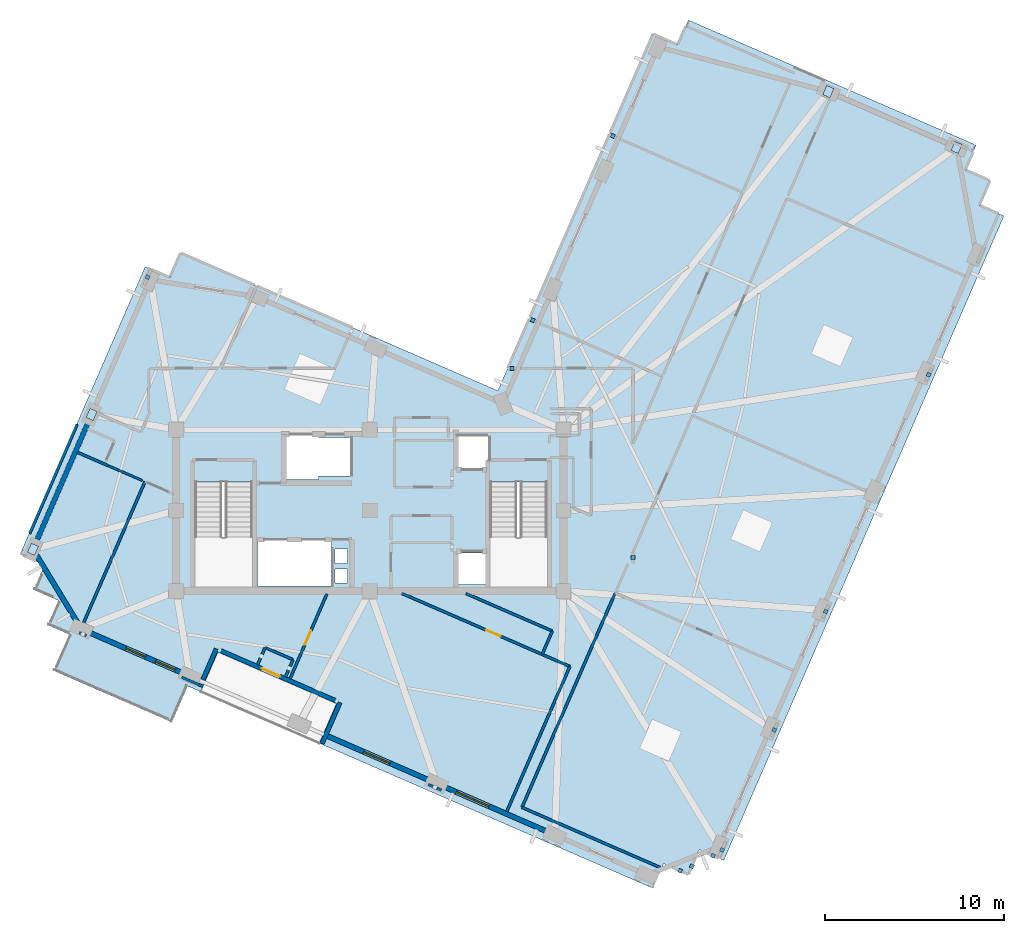
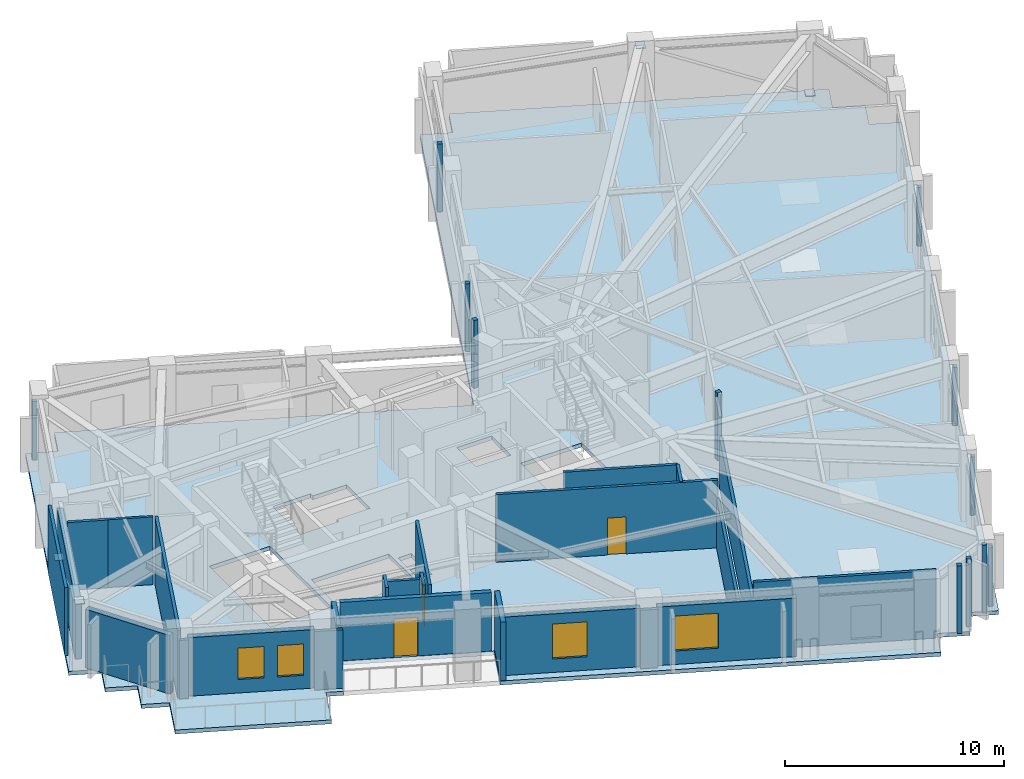
# One storey, part 4 of 12: 25 walls, 16 plates, 4 windows, 3 doors, 1 slab, 7 openings.
"""IFC4 building model written with IfcOpenShell, lengths in metres."""

from ifc_helpers import new_model, si_unit, direction, frame, frame_2d, origin, origin_2d, place, context, subcontext, project, spatial, polyline, rectangle, outline, extrude, material, layer, layer_set, type_object, element, fill, save


model = new_model("IFC4")

# Units and contexts
model_context = context("Model", 3, precision=1e-05, world=origin(), true_north=direction((0.0, 1.0)))
body_context = subcontext(model_context, "Body", "Model", "MODEL_VIEW")
ifc_project = project(units=[si_unit("LENGTHUNIT", "METRE"), si_unit("AREAUNIT", "SQUARE_METRE"), si_unit("VOLUMEUNIT", "CUBIC_METRE"), si_unit("PLANEANGLEUNIT", "RADIAN"), si_unit("MASSUNIT", "GRAM", prefix="KILO")], contexts=[model_context])

# Site, building, storey
site_placement = place(None, origin())
site = spatial("IfcSite", under=ifc_project, at=site_placement, CompositionType="ELEMENT")
building_placement = place(site_placement, origin())
building = spatial("IfcBuilding", under=site, at=building_placement, Name="Gaonmaruhae Medical Tower", CompositionType="ELEMENT")
storey_placement = place(building_placement, frame((0.0, 0.0, 316.60009765625)))
storey = spatial("IfcBuildingStorey", under=building, at=storey_placement, Name="L76", CompositionType="ELEMENT", Elevation=316.60009765625)

# Slab
ifc_material_1 = material(Name="Concrete C40/50", Category="concrete")
ifc_layer_1 = layer(ifc_material_1, 0.219970703125)
ifc_layer_set_1 = layer_set([ifc_layer_1], Name="Concrete C40/50")
slab_type = type_object("IfcSlabType", Name="FS-220 Clinical Ward Composite Floor Slab", PredefinedType="FLOOR", material=ifc_layer_set_1)
slab_placement = place(storey_placement, frame((0.0, 0.0, -0.22021484375)))
element("IfcSlab", 1, at=slab_placement, inside=storey, type_object=slab_type, Name="L76 Structural Slab 1", PredefinedType="FLOOR", context=body_context, shape_type="SweptSolid", body=[
    extrude(outline(polyline([(7.443115234375, 7.276611328125), (6.0673828125, 7.874755859375), (6.665771484375, 9.25048828125), (5.2900390625, 9.848388671875), (12.268310546875, 25.89697265625), (13.643798828125, 25.298828125), (14.241943359375, 26.674560546875), (31.941162109375, 18.978515625), (40.593994140625, 38.87890625), (41.969482421875, 38.28076171875), (42.567626953125, 39.65625), (58.6162109375, 32.67822265625), (58.01806640625, 31.302490234375), (59.393798828125, 30.70458984375), (58.795654296875, 29.328857421875), (60.171142578125, 28.730712890625), (44.540283203125, -7.218017578125), (43.164794921875, -6.619873046875), (42.56640625, -7.995361328125), (41.19091796875, -7.397216796875), (40.5927734375, -8.77294921875), (21.9765625, -0.67822265625), (22.93359375, 1.522705078125), (16.330810546875, 4.3935546875), (15.373779296875, 2.192626953125), (14.639892578125, 2.51171875), (13.7626953125, 0.494140625), (7.159912109375, 3.364990234375), (8.037109375, 5.3828125), (6.844970703125, 5.901123046875), (7.443115234375, 7.276611328125)]), holes=[polyline([(23.550048828125, 8.25), (22.85009765625, 8.25), (22.85009765625, 9.050048828125), (23.550048828125, 9.050048828125), (23.550048828125, 8.25)]), polyline([(29.574951171875, 9.925048828125), (31.425048828125, 9.925048828125), (31.425048828125, 8.175048828125), (29.574951171875, 8.175048828125), (29.574951171875, 9.925048828125)]), polyline([(18.550048828125, 10.625), (22.64990234375, 10.625), (22.64990234375, 8.074951171875), (18.550048828125, 8.074951171875), (18.550048828125, 10.625)]), polyline([(23.550048828125, 9.35009765625), (22.85009765625, 9.35009765625), (22.85009765625, 10.14990234375), (23.550048828125, 10.14990234375), (23.550048828125, 9.35009765625)]), polyline([(15.050048828125, 13.889892578125), (18.25, 13.889892578125), (18.25, 8.300048828125), (15.050048828125, 8.300048828125), (15.050048828125, 13.889892578125)]), polyline([(31.5, 13.889892578125), (34.699951171875, 13.889892578125), (34.699951171875, 8.300048828125), (31.5, 8.300048828125), (31.5, 13.889892578125)]), polyline([(23.72509765625, 14.22509765625), (21.949951171875, 14.22509765625), (21.949951171875, 14.02490234375), (19.949951171875, 14.02490234375), (19.949951171875, 16.574951171875), (21.949951171875, 16.574951171875), (21.949951171875, 16.375), (23.72509765625, 16.375), (23.72509765625, 14.22509765625)]), polyline([(31.425048828125, 16.425048828125), (31.425048828125, 14.675048828125), (29.574951171875, 14.675048828125), (29.574951171875, 16.425048828125), (31.425048828125, 16.425048828125)])]), origin(), (0.0, 0.0, 1.0), 0.22021484375),
])

# Plates
ifc_material_2 = material(Name="Steel HSA650 (650 MPa)", Category="steel")
ifc_layer_2 = layer(ifc_material_2, 0.028076171875)
ifc_layer_set_2 = layer_set([ifc_layer_2], Name="Steel HSA650 (650 MPa)")
plate_type_1 = type_object("IfcPlateType", Name="GP-02 Tube Brace End Cap Gusset Plate", PredefinedType="USERDEFINED", material=ifc_layer_set_2)
for number, where, z_axis, x_axis, name in (
    (2, (57.525634765625, 32.552734375, 0.23583984375), (0.0, 0.0, 1.0), (0.398749068925, 0.917060074385, 0.0), "L76 Gusset Cap Plate PLT-L76-PBR-E01A"),
    (3, (50.372802734375, 35.662841796875, 3.515625), (0.0, 0.0, 1.0), (0.398749068925, 0.917060074385, 0.0), "L76 Gusset Cap Plate PLT-L76-PBR-E01B"),
    (4, (9.283447265625, 17.653564453125, 0.23583984375), (0.0, 0.0, 1.0), (0.398749068925, 0.917060074385, 0.0), "L76 Gusset Cap Plate PLT-L76-PBR-N02A"),
    (5, (6.013671875, 10.133544921875, 3.515625), (0.0, 0.0, 1.0), (0.398749068925, 0.917060074385, 0.0), "L76 Gusset Cap Plate PLT-L76-PBR-N02B"),
):
    element("IfcPlate", number, at=place(storey_placement, frame(where, z_axis=z_axis, x_axis=x_axis)), inside=storey, type_object=plate_type_1, Name=name, ObjectType="GUSSET_PLATE", PredefinedType="USERDEFINED", context=body_context, shape_type="SweptSolid", body=[
        extrude(rectangle(XDim=0.56005859375, YDim=0.43994140625, at=origin_2d()), origin(), (0.0, 0.0, 1.0), 0.028076171875),
    ])
ifc_material_3 = material(Name="Anodised aluminium 6063-T6", Category="aluminium")
ifc_layer_3 = layer(ifc_material_3, 0.011962890625)
ifc_layer_set_3 = layer_set([ifc_layer_3], Name="Anodised aluminium 6063-T6")
plate_type_2 = type_object("IfcPlateType", Name="PP-01 Interior Partition Corner Stiffener Plate", PredefinedType="SHEET", material=ifc_layer_set_3)
plate_1_placement = place(storey_placement, frame((42.114501953125, -7.798583984375, 0.0), z_axis=(0.0, 0.0, 1.0), x_axis=(-0.917247878626, 0.398316870288, 0.0)))
element("IfcPlate", 6, at=plate_1_placement, inside=storey, type_object=plate_type_2, Name="L76 Partition Corner Stiffener Plate PLT-L76-JGP-PW014", PredefinedType="SHEET", context=body_context, shape_type="SweptSolid", body=[
    extrude(rectangle(XDim=0.219970703125, YDim=0.219970703125, at=origin_2d()), origin(), (0.0, 0.0, 1.0), 3.780029296875),
])
plate_2_placement = place(storey_placement, frame((47.357421875, 0.0625, -0.000244140625), z_axis=(0.0, 0.0, 1.0), x_axis=(-0.398765074582, -0.917053114761, 0.0)))
element("IfcPlate", 7, at=plate_2_placement, inside=storey, type_object=plate_type_2, Name="L76 Partition Corner Stiffener Plate PLT-L76-JGP-PW018", PredefinedType="SHEET", context=body_context, shape_type="SweptSolid", body=[
    extrude(rectangle(XDim=0.219970703125, YDim=0.219970703125, at=origin_2d()), origin(), (0.0, 0.0, 1.0), 3.2451171875),
])
plate_3_placement = place(storey_placement, frame((44.446044921875, -6.633056640625, 0.0), z_axis=(0.0, 0.0, 1.0), x_axis=(-0.399245187787, -0.916844196158, 0.0)))
element("IfcPlate", 8, at=plate_3_placement, inside=storey, type_object=plate_type_2, Name="L76 Partition Corner Stiffener Plate PLT-L76-JGP-PW019", PredefinedType="SHEET", context=body_context, shape_type="SweptSolid", body=[
    extrude(rectangle(XDim=0.219970703125, YDim=0.219970703125, at=origin_2d()), origin(), (0.0, 0.0, 1.0), 3.264892578125),
])
for number, where, z_axis, x_axis, name in (
    (9, (43.94091796875, -6.95703125, 0.0), (0.0, 0.0, 1.0), (-0.917115741319, 0.398621019297, 0.0), "L76 Partition Corner Stiffener Plate PLT-L76-JGP-PW020"),
    (10, (42.763916015625, -7.54248046875, 0.0), (0.0, 0.0, 1.0), (-0.399165176517, -0.916879033383, 0.0), "L76 Partition Corner Stiffener Plate PLT-L76-JGP-PW021"),
    (11, (39.47998046875, 9.6669921875, 0.0), (0.0, 0.0, 1.0), (0.0, 1.0, 0.0), "L76 Partition Corner Stiffener Plate PLT-L76-JGP-PW022"),
):
    element("IfcPlate", number, at=place(storey_placement, frame(where, z_axis=z_axis, x_axis=x_axis)), inside=storey, type_object=plate_type_2, Name=name, PredefinedType="SHEET", context=body_context, shape_type="SweptSolid", body=[
        extrude(rectangle(XDim=0.219970703125, YDim=0.219970703125, at=origin_2d()), origin(), (0.0, 0.0, 1.0), 3.780029296875),
    ])
plate_4_placement = place(storey_placement, frame((50.2275390625, 6.66552734375, -0.000244140625), z_axis=(0.0, 0.0, 1.0), x_axis=(-0.398765074582, -0.917053114761, 0.0)))
element("IfcPlate", 12, at=plate_4_placement, inside=storey, type_object=plate_type_2, Name="L76 Partition Corner Stiffener Plate PLT-L76-JGP-PW025", PredefinedType="SHEET", context=body_context, shape_type="SweptSolid", body=[
    extrude(rectangle(XDim=0.219970703125, YDim=0.219970703125, at=origin_2d()), origin(), (0.0, 0.0, 1.0), 3.2451171875),
])
plate_5_placement = place(storey_placement, frame((55.970458984375, 19.87158203125, 0.0), z_axis=(0.0, 0.0, 1.0), x_axis=(-0.398765074582, -0.917053114761, 0.0)))
element("IfcPlate", 13, at=plate_5_placement, inside=storey, type_object=plate_type_2, Name="L76 Partition Corner Stiffener Plate PLT-L76-JGP-PW029", PredefinedType="SHEET", context=body_context, shape_type="SweptSolid", body=[
    extrude(rectangle(XDim=0.219970703125, YDim=0.219970703125, at=origin_2d()), origin(), (0.0, 0.0, 1.0), 3.264892578125),
])
for number, where, z_axis, x_axis, name in (
    (14, (32.722412109375, 20.22998046875, 0.0), (0.0, 0.0, 1.0), (-1.0, 0.0, 0.0), "L76 Partition Corner Stiffener Plate PLT-L76-JGP-PW059"),
    (15, (33.888427734375, 22.91162109375, 0.0), (0.0, 0.0, 1.0), (0.917470197664, -0.397804520334, 0.0), "L76 Partition Corner Stiffener Plate PLT-L76-JGP-PW061"),
    (16, (38.3564453125, 33.18798828125, 0.0), (0.0, 0.0, 1.0), (0.916628049537, -0.399741189774, 0.0), "L76 Partition Corner Stiffener Plate PLT-L76-JGP-PW067"),
):
    element("IfcPlate", number, at=place(storey_placement, frame(where, z_axis=z_axis, x_axis=x_axis)), inside=storey, type_object=plate_type_2, Name=name, PredefinedType="SHEET", context=body_context, shape_type="SweptSolid", body=[
        extrude(rectangle(XDim=0.219970703125, YDim=0.219970703125, at=origin_2d()), origin(), (0.0, 0.0, 1.0), 3.780029296875),
    ])
plate_6_placement = place(storey_placement, frame((12.408935546875, 25.319091796875, 0.0), z_axis=(0.0, 0.0, 1.0), x_axis=(0.399261189676, 0.916837227876, 0.0)))
element("IfcPlate", 17, at=plate_6_placement, inside=storey, type_object=plate_type_2, Name="L76 Partition Corner Stiffener Plate PLT-L76-JGP-PW082", PredefinedType="SHEET", context=body_context, shape_type="SweptSolid", body=[
    extrude(rectangle(XDim=0.219970703125, YDim=0.219970703125, at=origin_2d()), origin(), (0.0, 0.0, 1.0), 3.264892578125),
])

# Wall, opening, door
ifc_material_4 = material(Name="Precast concrete C45/55", Category="concrete")
ifc_layer_4 = layer(ifc_material_4, 0.239990234375)
ifc_layer_set_4 = layer_set([ifc_layer_4], Name="Precast concrete C45/55")
wall_type_1 = type_object("IfcWallType", Name="EW-240 Ribbon & Shelter Insulated Precast Wall", PredefinedType="SOLIDWALL", material=ifc_layer_set_4)
wall_1_placement = place(storey_placement, frame((22.87939453125, 1.698974609375, 0.0), z_axis=(0.0, 0.0, 1.0), x_axis=(-0.917069498579, 0.398727394062, 0.0)))
wall_1 = element("IfcWall", 18, at=wall_1_placement, inside=storey, type_object=wall_type_1, Name="L76 Recessed Terrace Enclosure Wall TERB", PredefinedType="SOLIDWALL", context=body_context, shape_type="SweptSolid", body=[
    extrude(rectangle(XDim=6.9599609375, YDim=0.239990234375, at=frame_2d((3.47998046875, 0.0))), origin(), (0.0, 0.0, 1.0), 3.264892578125),
])
opening_1_placement = place(wall_1_placement, frame((3.374755859375, 0.0, 0.0)))
opening_1 = element("IfcOpeningElement", 19, at=opening_1_placement, cuts=wall_1, Name="Opening TD-01", PredefinedType="OPENING", context=body_context, shape_type="SweptSolid", body=[
    extrude(rectangle(XDim=1.10009765625, YDim=2.14990234375, at=frame_2d((0.550048828125, 1.074951171875))), frame((0.0, 0.1298828125, 0.0), z_axis=(0.0, -1.0, 0.0), x_axis=(1.0, 0.0, 0.0)), (0.0, 0.0, 1.0), 0.260009765625),
])
ifc_material_5 = material(Name="Anodised aluminium and toughened safety glass", Category="aluminium")
door_type_1 = type_object("IfcDoorType", Name="TD-01 Terrace & Sky Garden Glazed Door 1100x2150", OperationType="NOTDEFINED", PredefinedType="DOOR", material=ifc_material_5)
door_1_placement = place(opening_1_placement, origin())
door_1 = element("IfcDoor", 20, at=door_1_placement, inside=storey, type_object=door_type_1, Name="L76 Outdoor Terrace Access Door SLB-L76-TER", OperationType="SINGLE_SWING_LEFT", OverallHeight=2.14990234375, OverallWidth=1.10009765625, PredefinedType="DOOR", context=body_context, shape_type="SweptSolid", body=[
    extrude(rectangle(XDim=1.10009765625, YDim=2.14990234375, at=frame_2d((0.550048828125, 1.074951171875))), frame((0.0, 0.02490234375, 0.0), z_axis=(0.0, -1.0, 0.0), x_axis=(1.0, 0.0, 0.0)), (0.0, 0.0, 1.0), 0.050048828125),
])
fill(opening_1, door_1)

# Walls
wall_2_placement = place(storey_placement, frame((22.13916015625, -0.705322265625, 0.0), z_axis=(0.0, 0.0, 1.0), x_axis=(0.398758251475, 0.917056081644, 0.0)))
element("IfcWall", 21, at=wall_2_placement, inside=storey, type_object=wall_type_1, Name="L76 Recessed Terrace Enclosure Wall TERL", PredefinedType="SOLIDWALL", context=body_context, shape_type="SweptSolid", body=[
    extrude(rectangle(XDim=2.499755859375, YDim=0.239990234375, at=frame_2d((1.25, 0.0))), origin(), (0.0, 0.0, 1.0), 3.264892578125),
])
wall_3_placement = place(storey_placement, frame((16.23974609375, 4.585693359375, 0.0), z_axis=(0.0, 0.0, 1.0), x_axis=(-0.398730849785, -0.917067996077, 0.0)))
element("IfcWall", 22, at=wall_3_placement, inside=storey, type_object=wall_type_1, Name="L76 Recessed Terrace Enclosure Wall TERR", PredefinedType="SOLIDWALL", context=body_context, shape_type="SweptSolid", body=[
    extrude(rectangle(XDim=1.884033203125, YDim=0.239990234375, at=frame_2d((0.94189453125, 0.0))), origin(), (0.0, 0.0, 1.0), 3.264892578125),
])
ifc_layer_5 = layer(ifc_material_4, 0.280029296875)
ifc_layer_set_5 = layer_set([ifc_layer_5], Name="Precast concrete C45/55")
wall_type_2 = type_object("IfcWallType", Name="EW-280 Upper Precast Masonry-Frame Facade Wall", PredefinedType="SOLIDWALL", material=ifc_layer_set_5)
wall_4_placement = place(storey_placement, frame((6.17236328125, 10.498046875, 0.0), z_axis=(0.0, 0.0, 1.0), x_axis=(0.398740578379, 0.917063766133, 0.0)))
element("IfcWall", 23, at=wall_4_placement, inside=storey, type_object=wall_type_2, Name="L76 Precast Masonry-Frame Wall N02-N03", PredefinedType="SOLIDWALL", context=body_context, shape_type="SweptSolid", body=[
    extrude(rectangle(XDim=7.40478515625, YDim=0.280029296875, at=frame_2d((3.702392578125, 0.0))), origin(), (0.0, 0.0, 1.0), 3.264892578125),
])
wall_5_placement = place(storey_placement, frame((8.508544921875, 6.02734375, 0.0), z_axis=(0.0, 0.0, 1.0), x_axis=(-0.51924554751, 0.854625099907, 0.0)))
element("IfcWall", 24, at=wall_5_placement, inside=storey, type_object=wall_type_2, Name="L76 Precast Masonry-Frame Wall N03-W01", PredefinedType="SOLIDWALL", context=body_context, shape_type="SweptSolid", body=[
    extrude(rectangle(XDim=4.406982421875, YDim=0.280029296875, at=frame_2d((2.20361328125, 0.0))), origin(), (0.0, 0.0, 1.0), 3.264892578125),
])

# Wall, openings, windows
wall_6_placement = place(storey_placement, frame((14.403076171875, 3.214599609375, 0.0), z_axis=(0.0, 0.0, 1.0), x_axis=(-0.917061363729, 0.398746103624, 0.0)))
wall_6 = element("IfcWall", 25, at=wall_6_placement, inside=storey, type_object=wall_type_2, Name="L76 Precast Masonry-Frame Wall W01-W02", PredefinedType="SOLIDWALL", context=body_context, shape_type="SweptSolid", body=[
    extrude(rectangle(XDim=5.804931640625, YDim=0.280029296875, at=frame_2d((2.90234375, 0.0))), origin(), (0.0, 0.0, 1.0), 3.264892578125),
])
opening_2_placement = place(wall_6_placement, frame((2.302490234375, 0.0, 0.75)))
opening_2 = element("IfcOpeningElement", 26, at=opening_2_placement, cuts=wall_6, Name="Opening WN-05", PredefinedType="OPENING", context=body_context, shape_type="SweptSolid", body=[
    extrude(rectangle(XDim=1.199951171875, YDim=1.75, at=frame_2d((0.60009765625, 0.875))), frame((0.0, 0.14990234375, 0.0), z_axis=(0.0, -1.0, 0.0), x_axis=(1.0, 0.0, 0.0)), (0.0, 0.0, 1.0), 0.300048828125),
])
opening_3_placement = place(wall_6_placement, frame((0.486083984375, 0.0, 0.75)))
opening_3 = element("IfcOpeningElement", 27, at=opening_3_placement, cuts=wall_6, Name="Opening WN-05", PredefinedType="OPENING", context=body_context, shape_type="SweptSolid", body=[
    extrude(rectangle(XDim=1.199951171875, YDim=1.75, at=frame_2d((0.60009765625, 0.875))), frame((0.0, 0.14990234375, 0.0), z_axis=(0.0, -1.0, 0.0), x_axis=(1.0, 0.0, 0.0)), (0.0, 0.0, 1.0), 0.300048828125),
])
ifc_material_6 = material(Name="Anodised aluminium and Low-E double glazing", Category="aluminium")
window_type_1 = type_object("IfcWindowType", Name="WN-05 Support & Staff Punched Window 1200x1750", PartitioningType="SINGLE_PANEL", PredefinedType="WINDOW", material=ifc_material_6)
window_1_placement = place(opening_2_placement, origin())
window_1 = element("IfcWindow", 28, at=window_1_placement, inside=storey, type_object=window_type_1, Name="L76 Modular Facade Window W01", OverallHeight=1.75, OverallWidth=1.199951171875, PartitioningType="SINGLE_PANEL", PredefinedType="WINDOW", context=body_context, shape_type="SweptSolid", body=[
    extrude(rectangle(XDim=1.199951171875, YDim=1.75, at=frame_2d((0.60009765625, 0.875))), frame((0.0, 0.030029296875, 0.0), z_axis=(0.0, -1.0, 0.0), x_axis=(1.0, 0.0, 0.0)), (0.0, 0.0, 1.0), 0.06005859375),
])
fill(opening_2, window_1)
window_2_placement = place(opening_3_placement, origin())
window_2 = element("IfcWindow", 29, at=window_2_placement, inside=storey, type_object=window_type_1, Name="L76 Modular Facade Window W01B", OverallHeight=1.75, OverallWidth=1.199951171875, PartitioningType="SINGLE_PANEL", PredefinedType="WINDOW", context=body_context, shape_type="SweptSolid", body=[
    extrude(rectangle(XDim=1.199951171875, YDim=1.75, at=frame_2d((0.60009765625, 0.875))), frame((0.0, 0.030029296875, 0.0), z_axis=(0.0, -1.0, 0.0), x_axis=(1.0, 0.0, 0.0)), (0.0, 0.0, 1.0), 0.06005859375),
])
fill(opening_3, window_2)

# Wall, opening, window
wall_7_placement = place(storey_placement, frame((28.158935546875, -2.766845703125, 0.0), z_axis=(0.0, 0.0, 1.0), x_axis=(-0.917051024313, 0.39876988202, 0.0)))
wall_7 = element("IfcWall", 30, at=wall_7_placement, inside=storey, type_object=wall_type_2, Name="L76 Precast Masonry-Frame Wall W03-W04", PredefinedType="SOLIDWALL", context=body_context, shape_type="SweptSolid", body=[
    extrude(rectangle(XDim=6.322509765625, YDim=0.280029296875, at=frame_2d((3.1611328125, 0.0))), origin(), (0.0, 0.0, 1.0), 3.264892578125),
])
opening_4_placement = place(wall_7_placement, frame((2.436279296875, 0.0, 0.75)))
opening_4 = element("IfcOpeningElement", 31, at=opening_4_placement, cuts=wall_7, Name="Opening WN-01", PredefinedType="OPENING", context=body_context, shape_type="SweptSolid", body=[
    extrude(rectangle(XDim=1.60009765625, YDim=1.949951171875, at=frame_2d((0.800048828125, 0.97509765625))), frame((0.0, 0.14990234375, 0.0), z_axis=(0.0, -1.0, 0.0), x_axis=(1.0, 0.0, 0.0)), (0.0, 0.0, 1.0), 0.300048828125),
])
window_type_2 = type_object("IfcWindowType", Name="WN-01 Ward Punched Acoustic Window 1600x1950", PartitioningType="SINGLE_PANEL", PredefinedType="WINDOW", material=ifc_material_6)
window_3_placement = place(opening_4_placement, origin())
window_3 = element("IfcWindow", 32, at=window_3_placement, inside=storey, type_object=window_type_2, Name="L76 Modular Facade Window W03", OverallHeight=1.949951171875, OverallWidth=1.60009765625, PartitioningType="SINGLE_PANEL", PredefinedType="WINDOW", context=body_context, shape_type="SweptSolid", body=[
    extrude(rectangle(XDim=1.60009765625, YDim=1.949951171875, at=frame_2d((0.800048828125, 0.97509765625))), frame((0.0, 0.030029296875, 0.0), z_axis=(0.0, -1.0, 0.0), x_axis=(1.0, 0.0, 0.0)), (0.0, 0.0, 1.0), 0.06005859375),
])
fill(opening_4, window_3)

wall_8_placement = place(storey_placement, frame((34.76171875, -5.6376953125, 0.0), z_axis=(0.0, 0.0, 1.0), x_axis=(-0.917056117272, 0.398758169539, 0.0)))
wall_8 = element("IfcWall", 33, at=wall_8_placement, inside=storey, type_object=wall_type_2, Name="L76 Precast Masonry-Frame Wall W04-W05", PredefinedType="SOLIDWALL", context=body_context, shape_type="SweptSolid", body=[
    extrude(rectangle(XDim=6.40478515625, YDim=0.280029296875, at=frame_2d((3.202392578125, 0.0))), origin(), (0.0, 0.0, 1.0), 3.264892578125),
])
opening_5_placement = place(wall_8_placement, frame((3.601318359375, 0.0, 0.75)))
opening_5 = element("IfcOpeningElement", 34, at=opening_5_placement, cuts=wall_8, Name="Opening WN-02", PredefinedType="OPENING", context=body_context, shape_type="SweptSolid", body=[
    extrude(rectangle(XDim=2.0, YDim=1.949951171875, at=frame_2d((1.0, 0.97509765625))), frame((0.0, 0.14990234375, 0.0), z_axis=(0.0, -1.0, 0.0), x_axis=(1.0, 0.0, 0.0)), (0.0, 0.0, 1.0), 0.300048828125),
])
window_type_3 = type_object("IfcWindowType", Name="WN-02 Double-Bed Ward Punched Window 2000x1950", PartitioningType="SINGLE_PANEL", PredefinedType="WINDOW", material=ifc_material_6)
window_4_placement = place(opening_5_placement, origin())
window_4 = element("IfcWindow", 35, at=window_4_placement, inside=storey, type_object=window_type_3, Name="L76 Modular Facade Window W04", OverallHeight=1.949951171875, OverallWidth=2.0, PartitioningType="SINGLE_PANEL", PredefinedType="WINDOW", context=body_context, shape_type="SweptSolid", body=[
    extrude(rectangle(XDim=2.0, YDim=1.949951171875, at=frame_2d((1.0, 0.97509765625))), frame((0.0, 0.030029296875, 0.0), z_axis=(0.0, -1.0, 0.0), x_axis=(1.0, 0.0, 0.0)), (0.0, 0.0, 1.0), 0.06005859375),
])
fill(opening_5, window_4)

# Walls
ifc_material_7 = material(Name="Gypsum board partition", Category="gypsum")
ifc_layer_6 = layer(ifc_material_7, 0.125)
ifc_layer_set_6 = layer_set([ifc_layer_6], Name="Gypsum board partition")
wall_type_3 = type_object("IfcWallType", Name="PW-125 Ward & En-Suite Acoustic Partition", PredefinedType="PARTITIONING", material=ifc_layer_set_6)
wall_9_placement = place(storey_placement, frame((10.219970703125, 14.79296875, 0.0), z_axis=(0.0, 0.0, 1.0), x_axis=(0.916985473765, -0.398920594735, 0.0)))
element("IfcWall", 36, at=wall_9_placement, inside=storey, type_object=wall_type_3, Name="L76 Interior Partition L76-ENS01-57", PredefinedType="PARTITIONING", context=body_context, shape_type="SweptSolid", body=[
    extrude(rectangle(XDim=2.0654296875, YDim=0.125, at=frame_2d((1.03271484375, 0.0))), origin(), (0.0, 0.0, 1.0), 3.77978515625),
])
ifc_layer_7 = layer(ifc_material_7, 0.14990234375)
ifc_layer_set_7 = layer_set([ifc_layer_7], Name="Gypsum board partition")
wall_type_4 = type_object("IfcWallType", Name="PW-150 Rated Clinical Corridor Partition", PredefinedType="PARTITIONING", material=ifc_layer_set_7)
wall_10_placement = place(storey_placement, frame((41.0, -7.614990234375, 0.0), z_axis=(0.0, 0.0, 1.0), x_axis=(-0.917025755435, 0.398827987821, 0.0)))
element("IfcWall", 37, at=wall_10_placement, inside=storey, type_object=wall_type_4, Name="L76 Interior Partition L76-SUP01-15", PredefinedType="PARTITIONING", context=body_context, shape_type="SweptSolid", body=[
    extrude(rectangle(XDim=8.412109375, YDim=0.14990234375, at=frame_2d((4.2060546875, 0.0))), origin(), (0.0, 0.0, 1.0), 3.77978515625),
])
wall_11_placement = place(storey_placement, frame((33.285888671875, -4.260009765625, 0.0), z_axis=(0.0, 0.0, 1.0), x_axis=(0.398794571869, 0.9170402878, 0.0)))
element("IfcWall", 38, at=wall_11_placement, inside=storey, type_object=wall_type_4, Name="L76 Interior Partition L76-SUP01-16", PredefinedType="PARTITIONING", context=body_context, shape_type="SweptSolid", body=[
    extrude(rectangle(XDim=13.039794921875, YDim=0.14990234375, at=frame_2d((6.52001953125, 0.0))), origin(), (0.0, 0.0, 1.0), 2.764892578125),
])
wall_12_placement = place(storey_placement, frame((35.9580078125, 3.60205078125, 0.0), z_axis=(0.0, 0.0, 1.0), x_axis=(-0.398756424957, -0.917056875857, 0.0)))
element("IfcWall", 39, at=wall_12_placement, inside=storey, type_object=wall_type_4, Name="L76 Interior Partition L76-WOF05-37", PredefinedType="PARTITIONING", context=body_context, shape_type="SweptSolid", body=[
    extrude(rectangle(XDim=8.8349609375, YDim=0.14990234375, at=frame_2d((4.41748046875, 0.0))), origin(), (0.0, 0.0, 1.0), 2.764892578125),
])
wall_13_placement = place(storey_placement, frame((28.7958984375, -3.294921875, 0.0), z_axis=(0.0, 0.0, 1.0), x_axis=(-0.91709935105, 0.398658726612, 0.0)))
element("IfcWall", 40, at=wall_13_placement, inside=storey, type_object=wall_type_4, Name="L76 Interior Partition L76-WOF05-38", PredefinedType="PARTITIONING", context=body_context, shape_type="SweptSolid", body=[
    extrude(rectangle(XDim=0.794921875, YDim=0.14990234375, at=frame_2d((0.3974609375, 0.0))), origin(), (0.0, 0.0, 1.0), 3.264892578125),
])

# Wall, opening, door
wall_14_placement = place(storey_placement, frame((20.344970703125, 2.905029296875, 0.0), z_axis=(0.0, 0.0, 1.0), x_axis=(0.398819215719, 0.917029570501, 0.0)))
wall_14 = element("IfcWall", 41, at=wall_14_placement, inside=storey, type_object=wall_type_4, Name="L76 Interior Partition L76-WOF05-39", PredefinedType="PARTITIONING", context=body_context, shape_type="SweptSolid", body=[
    extrude(rectangle(XDim=5.177734375, YDim=0.14990234375, at=frame_2d((2.5888671875, 0.0))), origin(), (0.0, 0.0, 1.0), 3.77978515625),
])
opening_6_placement = place(wall_14_placement, frame((2.0751953125, 0.0, 0.0)))
opening_6 = element("IfcOpeningElement", 42, at=opening_6_placement, cuts=wall_14, Name="Opening AD-01", PredefinedType="OPENING", context=body_context, shape_type="SweptSolid", body=[
    extrude(rectangle(XDim=0.860107421875, YDim=2.06005859375, at=frame_2d((0.43017578125, 1.030029296875))), frame((0.0, 0.0849609375, 0.0), z_axis=(0.0, -1.0, 0.0), x_axis=(1.0, 0.0, 0.0)), (0.0, 0.0, 1.0), 0.169921875),
])
ifc_material_8 = material(Name="Powder-coated steel access door", Category="steel")
door_type_2 = type_object("IfcDoorType", Name="AD-01 Riser & Closet Access Fire Door 860x2060", OperationType="NOTDEFINED", PredefinedType="DOOR", material=ifc_material_8)
door_2_placement = place(opening_6_placement, origin())
door_2 = element("IfcDoor", 43, at=door_2_placement, inside=storey, type_object=door_type_2, Name="L76 Ward Physician Reporting Office Sliding Door", OperationType="SLIDING_TO_LEFT", OverallHeight=2.06005859375, OverallWidth=0.860107421875, PredefinedType="DOOR", context=body_context, shape_type="SweptSolid", body=[
    extrude(rectangle(XDim=0.860107421875, YDim=2.06005859375, at=frame_2d((0.43017578125, 1.030029296875))), frame((0.0, 0.02490234375, 0.0), z_axis=(0.0, -1.0, 0.0), x_axis=(1.0, 0.0, 0.0)), (0.0, 0.0, 1.0), 0.050048828125),
])
fill(opening_6, door_2)

wall_15_placement = place(storey_placement, frame((26.589111328125, 7.675048828125, 0.0), z_axis=(0.0, 0.0, 1.0), x_axis=(0.917085632944, -0.398690283112, 0.0)))
wall_15 = element("IfcWall", 44, at=wall_15_placement, inside=storey, type_object=wall_type_4, Name="L76 Interior Partition L76-WOF05-40", PredefinedType="PARTITIONING", context=body_context, shape_type="SweptSolid", body=[
    extrude(rectangle(XDim=10.216064453125, YDim=0.14990234375, at=frame_2d((5.10791015625, 0.0))), origin(), (0.0, 0.0, 1.0), 3.77978515625),
])
opening_7_placement = place(wall_15_placement, frame((5.130615234375, 0.0, 0.0)))
opening_7 = element("IfcOpeningElement", 45, at=opening_7_placement, cuts=wall_15, Name="Opening AD-01", PredefinedType="OPENING", context=body_context, shape_type="SweptSolid", body=[
    extrude(rectangle(XDim=0.860107421875, YDim=2.06005859375, at=frame_2d((0.43017578125, 1.030029296875))), frame((0.0, 0.0849609375, 0.0), z_axis=(0.0, -1.0, 0.0), x_axis=(1.0, 0.0, 0.0)), (0.0, 0.0, 1.0), 0.169921875),
])
door_3_placement = place(opening_7_placement, origin())
door_3 = element("IfcDoor", 46, at=door_3_placement, inside=storey, type_object=door_type_2, Name="L76 Clinical Case Review Office Sliding Door", OperationType="SLIDING_TO_LEFT", OverallHeight=2.06005859375, OverallWidth=0.860107421875, PredefinedType="DOOR", context=body_context, shape_type="SweptSolid", body=[
    extrude(rectangle(XDim=0.860107421875, YDim=2.06005859375, at=frame_2d((0.43017578125, 1.030029296875))), frame((0.0, 0.02490234375, 0.0), z_axis=(0.0, -1.0, 0.0), x_axis=(1.0, 0.0, 0.0)), (0.0, 0.0, 1.0), 0.050048828125),
])
fill(opening_7, door_3)

# Walls
wall_16_placement = place(storey_placement, frame((20.096923828125, 3.011962890625, 0.0), z_axis=(0.0, 0.0, 1.0), x_axis=(0.398937514446, 0.916978112916, 0.0)))
element("IfcWall", 47, at=wall_16_placement, inside=storey, type_object=wall_type_4, Name="L76 Interior Partition L76-WOF06-41", PredefinedType="PARTITIONING", context=body_context, shape_type="SweptSolid", body=[
    extrude(rectangle(XDim=1.0556640625, YDim=0.14990234375, at=frame_2d((0.52783203125, 0.0))), origin(), (0.0, 0.0, 1.0), 3.77978515625),
])
wall_17_placement = place(storey_placement, frame((20.51806640625, 3.97998046875, 0.0), z_axis=(0.0, 0.0, 1.0), x_axis=(-0.917254925113, 0.398300643178, 0.0)))
element("IfcWall", 48, at=wall_17_placement, inside=storey, type_object=wall_type_4, Name="L76 Interior Partition L76-WOF06-42", PredefinedType="PARTITIONING", context=body_context, shape_type="SweptSolid", body=[
    extrude(rectangle(XDim=1.69970703125, YDim=0.14990234375, at=frame_2d((0.849853515625, 0.0))), origin(), (0.0, 0.0, 1.0), 3.414794921875),
])
wall_18_placement = place(storey_placement, frame((18.958984375, 4.656982421875, 0.0), z_axis=(0.0, 0.0, 1.0), x_axis=(-0.398302687318, -0.917254037481, 0.0)))
element("IfcWall", 49, at=wall_18_placement, inside=storey, type_object=wall_type_4, Name="L76 Interior Partition L76-WOF06-43", PredefinedType="PARTITIONING", context=body_context, shape_type="SweptSolid", body=[
    extrude(rectangle(XDim=1.05419921875, YDim=0.14990234375, at=frame_2d((0.527099609375, 0.0))), origin(), (0.0, 0.0, 1.0), 3.77978515625),
])
wall_19_placement = place(storey_placement, frame((15.5009765625, 2.486083984375, 0.0), z_axis=(0.0, 0.0, 1.0), x_axis=(-0.91721659354, 0.39838890614, 0.0)))
element("IfcWall", 50, at=wall_19_placement, inside=storey, type_object=wall_type_4, Name="L76 Interior Partition L76-WOF06-44", PredefinedType="PARTITIONING", context=body_context, shape_type="SweptSolid", body=[
    extrude(rectangle(XDim=1.29736328125, YDim=0.14990234375, at=frame_2d((0.648681640625, 0.0))), origin(), (0.0, 0.0, 1.0), 3.264892578125),
])
wall_20_placement = place(storey_placement, frame((8.988037109375, 5.318115234375, 0.0), z_axis=(0.0, 0.0, 1.0), x_axis=(-0.916831392251, 0.399274589954, 0.0)))
element("IfcWall", 51, at=wall_20_placement, inside=storey, type_object=wall_type_4, Name="L76 Interior Partition L76-WOF06-45", PredefinedType="PARTITIONING", context=body_context, shape_type="SweptSolid", body=[
    extrude(rectangle(XDim=0.423095703125, YDim=0.14990234375, at=frame_2d((0.21142578125, 0.0))), origin(), (0.0, 0.0, 1.0), 3.264892578125),
])
wall_21_placement = place(storey_placement, frame((8.60009765625, 5.487060546875, 0.0), z_axis=(0.0, 0.0, 1.0), x_axis=(0.398808773401, 0.917034111829, 0.0)))
element("IfcWall", 52, at=wall_21_placement, inside=storey, type_object=wall_type_4, Name="L76 Interior Partition L76-WOF06-46", PredefinedType="PARTITIONING", context=body_context, shape_type="SweptSolid", body=[
    extrude(rectangle(XDim=9.179443359375, YDim=0.14990234375, at=frame_2d((4.58984375, 0.0))), origin(), (0.0, 0.0, 1.0), 3.77978515625),
])
wall_22_placement = place(storey_placement, frame((8.491943359375, 15.5439453125, 0.0), z_axis=(0.0, 0.0, 1.0), x_axis=(0.917176199692, -0.398481892585, 0.0)))
element("IfcWall", 53, at=wall_22_placement, inside=storey, type_object=wall_type_4, Name="L76 Interior Partition L76-BR01-50", PredefinedType="PARTITIONING", context=body_context, shape_type="SweptSolid", body=[
    extrude(rectangle(XDim=1.8642578125, YDim=0.14990234375, at=frame_2d((0.93212890625, 0.0))), origin(), (0.0, 0.0, 1.0), 3.77978515625),
])
wall_23_placement = place(storey_placement, frame((30.14990234375, 7.675048828125, 0.0), z_axis=(0.0, 0.0, 1.0), x_axis=(0.917103960726, -0.398648122059, 0.0)))
element("IfcWall", 54, at=wall_23_placement, inside=storey, type_object=wall_type_4, Name="L76 Interior Partition L76-RM01-87", PredefinedType="PARTITIONING", context=body_context, shape_type="SweptSolid", body=[
    extrude(rectangle(XDim=5.265625, YDim=0.14990234375, at=frame_2d((2.6328125, 0.0))), origin(), (0.0, 0.0, 1.0), 3.77978515625),
])
wall_24_placement = place(storey_placement, frame((34.97900390625, 5.575927734375, 0.0), z_axis=(0.0, 0.0, 1.0), x_axis=(-0.399236039494, -0.916848179782, 0.0)))
element("IfcWall", 55, at=wall_24_placement, inside=storey, type_object=wall_type_4, Name="L76 Interior Partition L76-RM01-88", PredefinedType="PARTITIONING", context=body_context, shape_type="SweptSolid", body=[
    extrude(rectangle(XDim=1.400390625, YDim=0.14990234375, at=frame_2d((0.7001953125, 0.0))), origin(), (0.0, 0.0, 1.0), 3.77978515625),
])
wall_25_placement = place(storey_placement, frame((5.827880859375, 11.010009765625, 0.0), z_axis=(0.0, 0.0, 1.0), x_axis=(0.398767783479, 0.917051936838, 0.0)))
element("IfcWall", 56, at=wall_25_placement, inside=storey, type_object=wall_type_4, Name="L76 Interior Partition L76-RM02-89", PredefinedType="PARTITIONING", context=body_context, shape_type="SweptSolid", body=[
    extrude(rectangle(XDim=6.640869140625, YDim=0.14990234375, at=frame_2d((3.3203125, 0.0))), origin(), (0.0, 0.0, 1.0), 3.77978515625),
])

save(model, "model.ifc")
